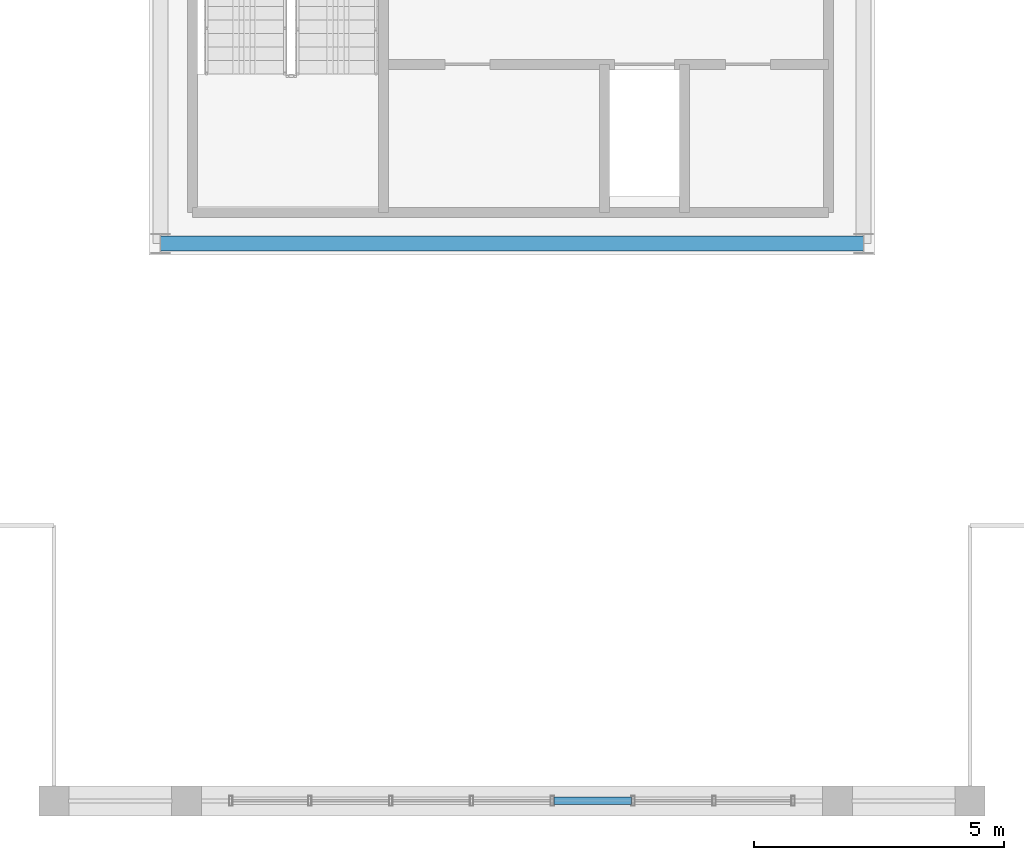
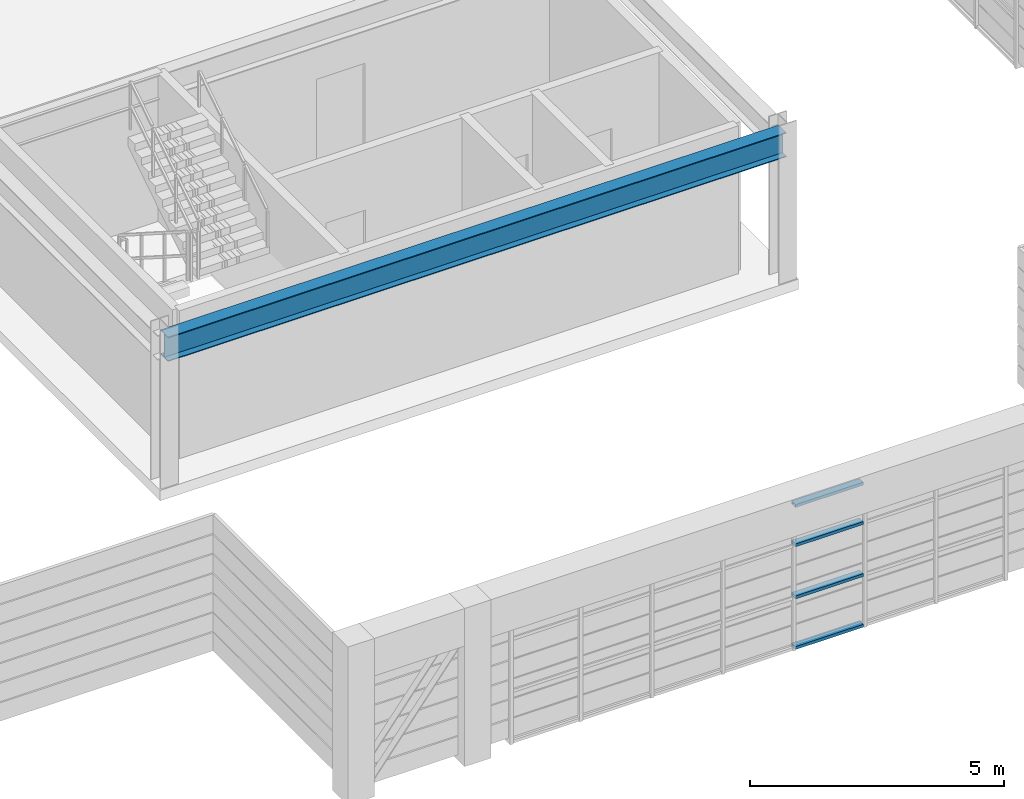
# One storey, part 4 of 21: 4 members, 1 beam, 1 element without a shape of its own.
"""IFC4 building model written with IfcOpenShell, lengths in metres."""

from ifc_helpers import new_model, si_unit, direction, frame, origin, origin_2d, place, context, subcontext, project, spatial, hollow_rectangle, i_section, extrude, source, transform, mapped, material, layer, layer_set, material_profile, profile_set, type_object, element, aggregate, save


model = new_model("IFC4")

# Units and contexts
model_context = context("Model", 3, precision=1e-05, world=origin(), true_north=direction((0.0, 1.0)))
body_context = subcontext(model_context, "Body", "Model", "MODEL_VIEW")
ifc_project = project(units=[si_unit("LENGTHUNIT", "METRE"), si_unit("AREAUNIT", "SQUARE_METRE"), si_unit("VOLUMEUNIT", "CUBIC_METRE"), si_unit("PLANEANGLEUNIT", "RADIAN"), si_unit("MASSUNIT", "GRAM", prefix="KILO")], contexts=[model_context])

# Site, building, storey
site_placement = place(None, origin())
site = spatial("IfcSite", under=ifc_project, at=site_placement, CompositionType="ELEMENT")
building_placement = place(site_placement, origin())
building = spatial("IfcBuilding", under=site, at=building_placement, Name="Saelheon Loggia Tower", CompositionType="ELEMENT")
storey_placement = place(building_placement, frame((0.0, 0.0, 259.800048828125)))
storey = spatial("IfcBuildingStorey", under=building, at=storey_placement, Name="CR3", CompositionType="ELEMENT", Elevation=259.800048828125)

# Beam
ifc_material_1 = material(Name="Steel SM355", Category="steel")
ifc_material_profile_1 = material_profile(ifc_material_1, i_section(OverallWidth=0.300048828125, OverallDepth=0.587890625, WebThickness=0.011962890625, FlangeThickness=0.02001953125, at=origin_2d()), Name="H-588x300x12x20")
ifc_profile_set_1 = profile_set([ifc_material_profile_1], Name="Steel SM355")
beam_type = type_object("IfcBeamType", Name="Beam_Girder_Steel_H588", PredefinedType="BEAM", material=ifc_profile_set_1)
shared_shape_1 = source(origin(), body_context, "Body", "SweptSolid", [
    extrude(i_section(OverallWidth=0.300048828125, OverallDepth=0.587890625, WebThickness=0.011962890625, FlangeThickness=0.02001953125, at=origin_2d()), origin(), (0.0, 0.0, 1.0), 14.0400390625),
])
beam_placement = place(storey_placement, frame((30.97998046875, 17.47998046875, 3.255859375), z_axis=(1.0, 0.0, 0.0), x_axis=(0.0, 1.0, 0.0)))
element("IfcBeam", 1, at=beam_placement, inside=storey, type_object=beam_type, Name="BM-CR3-PL-S", PredefinedType="BEAM", context=body_context, shape_type="MappedRepresentation", body=[
    mapped(shared_shape_1, transform((0.0, 0.0, 0.0), scale=1.0)),
])

# Curtain wall, members
ifc_material_2 = material(Name="Bronze-Anodised Aluminium and Fritted Ceramic Screen", Category="aluminium")
ifc_layer = layer(ifc_material_2, 0.219970703125)
ifc_layer_set = layer_set([ifc_layer], Name="Bronze-Anodised Aluminium and Fritted Ceramic Screen")
curtain_wall_type = type_object("IfcCurtainWallType", Name="CW_CrownScreen", PredefinedType="NOTDEFINED", material=ifc_layer_set)
curtain_wall_placement = place(storey_placement, origin())
curtain_wall = element("IfcCurtainWall", 2, at=curtain_wall_placement, inside=storey, type_object=curtain_wall_type, Name="CR3 Crown Central Screen Curtain Wall 0", PredefinedType="NOTDEFINED")
ifc_material_3 = material(Name="Bronze-Anodised Aluminium 6063-T6", Category="aluminium")
ifc_material_profile_2 = material_profile(ifc_material_3, hollow_rectangle(XDim=0.070068359375, YDim=0.14990234375, WallThickness=0.0048828125, at=origin_2d()), Name="RHS-150x70x5")
ifc_profile_set_2 = profile_set([ifc_material_profile_2], Name="Bronze-Anodised Aluminium 6063-T6")
member_type = type_object("IfcMemberType", Name="CW_CrownScreen_Transom", PredefinedType="USERDEFINED", material=ifc_profile_set_2)
shared_shape_2 = source(origin(), body_context, "Body", "SweptSolid", [
    extrude(hollow_rectangle(XDim=0.070068359375, YDim=0.14990234375, WallThickness=0.0048828125, at=origin_2d()), origin(), (0.0, 0.0, 1.0), 1.54443359375),
])
member_1_placement = place(storey_placement, frame((38.842041015625, 6.35009765625, 0.034912109375), z_axis=(1.0, 0.0, 0.0), x_axis=(0.0, 0.0, 1.0)))
member_1 = element("IfcMember", 3, at=member_1_placement, type_object=member_type, Name="CW6 transom 5.1", ObjectType="TRANSOM", PredefinedType="USERDEFINED", context=body_context, shape_type="MappedRepresentation", body=[
    mapped(shared_shape_2, transform((0.0, 0.0, 0.0), scale=1.0)),
])
member_2_placement = place(storey_placement, frame((38.842041015625, 6.35009765625, 1.25), z_axis=(1.0, 0.0, 0.0), x_axis=(0.0, 0.0, 1.0)))
member_2 = element("IfcMember", 4, at=member_2_placement, type_object=member_type, Name="CW6 transom 5.2", ObjectType="TRANSOM", PredefinedType="USERDEFINED", context=body_context, shape_type="MappedRepresentation", body=[
    mapped(shared_shape_2, transform((0.0, 0.0, 0.0), scale=1.0)),
])
member_3_placement = place(storey_placement, frame((38.842041015625, 6.35009765625, 2.5), z_axis=(1.0, 0.0, 0.0), x_axis=(0.0, 0.0, 1.0)))
member_3 = element("IfcMember", 5, at=member_3_placement, type_object=member_type, Name="CW6 transom 5.3", ObjectType="TRANSOM", PredefinedType="USERDEFINED", context=body_context, shape_type="MappedRepresentation", body=[
    mapped(shared_shape_2, transform((0.0, 0.0, 0.0), scale=1.0)),
])
member_4_placement = place(storey_placement, frame((38.842041015625, 6.35009765625, 3.445068359375), z_axis=(1.0, 0.0, 0.0), x_axis=(0.0, 0.0, 1.0)))
member_4 = element("IfcMember", 6, at=member_4_placement, type_object=member_type, Name="CW6 transom 5.4", ObjectType="TRANSOM", PredefinedType="USERDEFINED", context=body_context, shape_type="MappedRepresentation", body=[
    mapped(shared_shape_2, transform((0.0, 0.0, 0.0), scale=1.0)),
])
aggregate(curtain_wall, [member_1, member_2, member_3, member_4])

save(model, "model.ifc")
